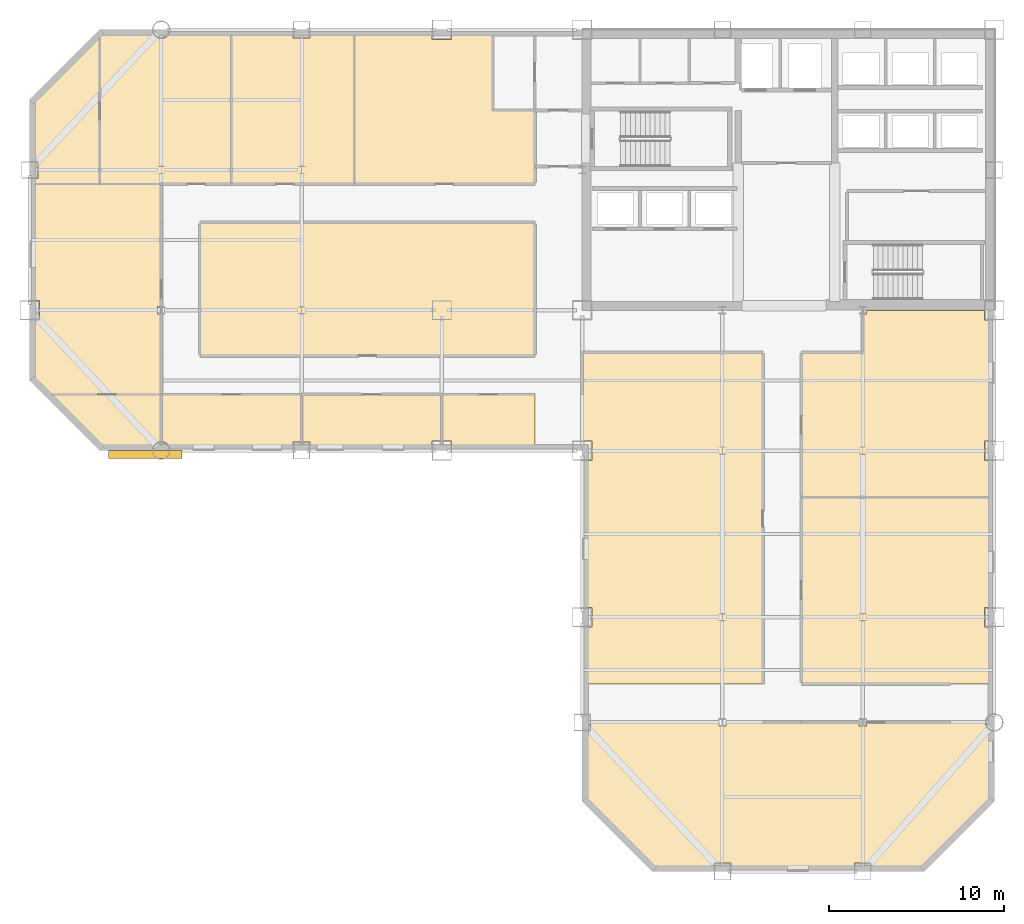
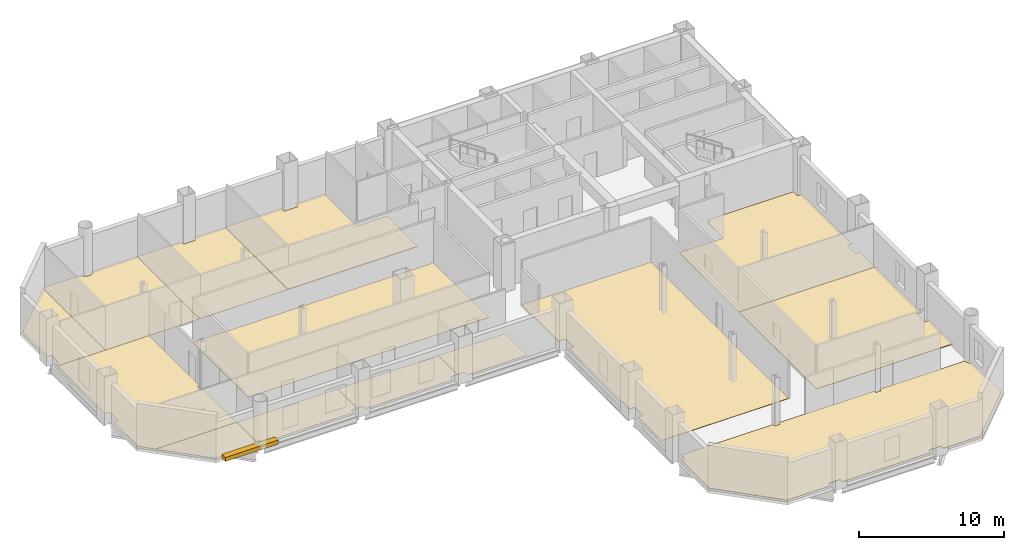
# One storey, part 9 of 10: 14 coverings, 1 shading device.
"""IFC4 building model written with IfcOpenShell, lengths in metres."""

import ifcopenshell
import ifcopenshell.guid

model = None  # the IFC model being written
_history = None  # IfcOwnerHistory: only IFC2X3 demands one
_inside = {}  # id of a spatial element -> (the spatial element, [elements in it])
_under = {}  # id of a project, library or spatial element -> (it, [spatial elements below it])
_declared = {}  # id of a project -> (the project, [libraries it declares])
_typed = {}  # id of a type object -> (the type object, [elements of that type])
_made_of = {}  # id of a material, layer set ... -> (it, [elements and type objects made of it])


def new_model(schema):
    """Start an empty IFC model of exactly this schema.

    Asked for "IFC4X3", IfcOpenShell would pick the latest addendum, in which some entities
    have other attributes; the version numbers below select the first issue.
    IFC2X3 requires an IfcOwnerHistory on every rooted entity: one is made here for all.
    """
    global model, _history
    if schema == "IFC4X3":
        model = ifcopenshell.file(schema_version=(4, 3, 0, 0))
    else:
        model = ifcopenshell.file(schema=schema)
    _inside.clear()
    _under.clear()
    _declared.clear()
    _typed.clear()
    _made_of.clear()
    _history = None
    if model.schema == "IFC2X3":
        org = make("IfcOrganization", Name="unknown")
        user = make(
            "IfcPersonAndOrganization",
            ThePerson=make("IfcPerson", FamilyName="unknown"),
            TheOrganization=org,
        )
        app = make(
            "IfcApplication",
            ApplicationDeveloper=org,
            Version="unknown",
            ApplicationFullName="unknown",
            ApplicationIdentifier="unknown",
        )
        _history = make(
            "IfcOwnerHistory",
            OwningUser=user,
            OwningApplication=app,
            ChangeAction="ADDED",
            CreationDate=0,
        )
    return model


def make(cls, **values):
    """One entity of the class cls with the attributes given. An attribute that is None is left unset."""
    return model.create_entity(
        cls, **{name: value for name, value in values.items() if value is not None}
    )


def rooted(cls, **values):
    """An entity with a GlobalId (a new one), such as an element, a storey or a relation."""
    return make(cls, GlobalId=ifcopenshell.guid.new(), OwnerHistory=_history, **values)


def si_unit(unit_type, name, prefix=None):
    """IfcSIUnit, for example si_unit("LENGTHUNIT", "METRE", prefix="MILLI")."""
    return make("IfcSIUnit", UnitType=unit_type, Prefix=prefix, Name=name)


def assignment(units):
    """IfcUnitAssignment: the units of a project."""
    return None if units is None else make("IfcUnitAssignment", Units=units)


def point(xyz):
    """IfcCartesianPoint."""
    return None if xyz is None else make("IfcCartesianPoint", Coordinates=xyz)


def direction(xyz):
    """IfcDirection."""
    return None if xyz is None else make("IfcDirection", DirectionRatios=xyz)


def frame(location, z_axis=None, x_axis=None):
    """IfcAxis2Placement3D, a coordinate frame: its origin and axes. An axis left out is left unset."""
    return make(
        "IfcAxis2Placement3D",
        Location=point(location),
        Axis=direction(z_axis),
        RefDirection=direction(x_axis),
    )


def frame_2d(location, x_axis=None):
    """IfcAxis2Placement2D, a coordinate frame in the plane: its origin and x axis."""
    return make(
        "IfcAxis2Placement2D", Location=point(location), RefDirection=direction(x_axis)
    )


def origin():
    """The frame at (0, 0, 0) with its axes left unset."""
    return frame((0.0, 0.0, 0.0))


def origin_2d():
    """The frame at (0, 0) in the plane with its x axis left unset."""
    return frame_2d((0.0, 0.0))


def place(relative_to, where):
    """IfcLocalPlacement: puts the frame where relative to a parent placement (None: the world)."""
    return make(
        "IfcLocalPlacement", PlacementRelTo=relative_to, RelativePlacement=where
    )


def context(
    kind, dimensions, precision=None, world=None, true_north=None, identifier=None
):
    """IfcGeometricRepresentationContext, for example the 3D "Model" context."""
    return make(
        "IfcGeometricRepresentationContext",
        ContextIdentifier=identifier,
        ContextType=kind,
        CoordinateSpaceDimension=dimensions,
        Precision=precision,
        WorldCoordinateSystem=world,
        TrueNorth=true_north,
    )


def subcontext(parent, identifier, kind, view, scale=None):
    """IfcGeometricRepresentationSubContext, for example "Body" below "Model"."""
    return make(
        "IfcGeometricRepresentationSubContext",
        ContextIdentifier=identifier,
        ContextType=kind,
        ParentContext=parent,
        TargetScale=scale,
        TargetView=view,
    )


def project(units=None, contexts=None):
    """IfcProject with its units and contexts."""
    return rooted(
        "IfcProject",
        Name="project",
        RepresentationContexts=contexts,
        UnitsInContext=assignment(units),
    )


def spatial(cls, under=None, at=None, **own):
    """A site, building, storey or space (cls), placed at a placement, below another one or the project."""
    s = rooted(cls, ObjectPlacement=at, **own)
    if under is not None:
        _under.setdefault(under.id(), (under, []))[1].append(s)
    return s


def polyline(points):
    """IfcPolyline through the points."""
    return make("IfcPolyline", Points=[point(p) for p in points])


def profile(cls, at=None, kind="AREA", **sizes):
    """A parametric profile (cls). Its sizes go by their IFC names, for example OverallWidth=200.0."""
    return make(cls, ProfileType=kind, Position=at, **sizes)


def rectangle(**sizes):
    """IfcRectangleProfileDef."""
    return profile("IfcRectangleProfileDef", **sizes)


def outline(outer, holes=None, kind="AREA"):
    """IfcArbitraryClosedProfileDef: a profile drawn as a closed curve; with holes, ...WithVoids."""
    if holes is None:
        return make("IfcArbitraryClosedProfileDef", ProfileType=kind, OuterCurve=outer)
    return make(
        "IfcArbitraryProfileDefWithVoids",
        ProfileType=kind,
        OuterCurve=outer,
        InnerCurves=holes,
    )


def extrude(swept, where, along, depth):
    """IfcExtrudedAreaSolid: the profile swept, set in the frame where, extruded along a direction by depth."""
    return make(
        "IfcExtrudedAreaSolid",
        SweptArea=swept,
        Position=where,
        ExtrudedDirection=direction(along),
        Depth=depth,
    )


def shape(context_of_items, identifier, shape_type, items):
    """IfcShapeRepresentation: the items that make up one representation, for example the "Body"."""
    return make(
        "IfcShapeRepresentation",
        ContextOfItems=context_of_items,
        RepresentationIdentifier=identifier,
        RepresentationType=shape_type,
        Items=items,
    )


def material(Name=None, Category=None):
    """IfcMaterial."""
    return make("IfcMaterial", Name=Name, Category=Category)


def layer(
    of_material, thickness, ventilated=None, Name=None, Category=None, Priority=None
):
    """IfcMaterialLayer: one layer of a wall or slab, of a material (None: an air gap)."""
    return make(
        "IfcMaterialLayer",
        Material=of_material,
        LayerThickness=thickness,
        IsVentilated=ventilated,
        Name=Name,
        Category=Category,
        Priority=Priority,
    )


def layer_set(layers, Name=None):
    """IfcMaterialLayerSet."""
    return make("IfcMaterialLayerSet", MaterialLayers=layers, LayerSetName=Name)


def made_of(thing, what):
    """Note that an element or type object is made of a material, layer set ...; save() writes the relation."""
    if what is not None:
        _made_of.setdefault(what.id(), (what, []))[1].append(thing)
    return thing


def type_object(cls, material=None, **own):
    """A type object (cls), such as IfcWallType, which elements share."""
    return made_of(rooted(cls, **own), material)


def element(
    cls,
    number,
    at=None,
    inside=None,
    cuts=None,
    type_object=None,
    material=None,
    context=None,
    identifier="Body",
    shape_type=None,
    held_by="IfcProductDefinitionShape",
    body=None,
    shapes=None,
    **own,
):
    """One element of the class cls, such as IfcWall. Its Tag is "e" and its number.

    at: its placement. inside: the storey or other place that contains it. cuts: it is an
    opening in that element (IfcRelVoidsElement). A single representation is given by context,
    identifier, shape_type and body (its items); several are given by shapes. held_by: the class
    of the entity that holds the representations. save() writes the other relations.
    """
    e = rooted(cls, Tag="e%d" % number, ObjectPlacement=at, **own)
    if body is not None:
        shapes = [shape(context, identifier, shape_type, body)]
    if shapes is not None:
        e.Representation = make(held_by, Representations=shapes)
    if inside is not None:
        _inside.setdefault(inside.id(), (inside, []))[1].append(e)
    if cuts is not None:
        rooted(
            "IfcRelVoidsElement", RelatingBuildingElement=cuts, RelatedOpeningElement=e
        )
    if type_object is not None:
        _typed.setdefault(type_object.id(), (type_object, []))[1].append(e)
    return made_of(e, material)


def aggregate(whole, parts):
    """IfcRelAggregates: a whole, such as a stair, and the parts it consists of."""
    return rooted("IfcRelAggregates", RelatingObject=whole, RelatedObjects=parts)


def save(model, path):
    """Write the relations noted so far, then the file.

    IfcRelAggregates (storeys below a building ...), IfcRelContainedInSpatialStructure (elements
    in a storey), IfcRelDefinesByType, IfcRelAssociatesMaterial and IfcRelDeclares: one each for
    every whole, place, type object, material and project.
    """
    for whole, parts in _under.values():
        aggregate(whole, parts)
    for where, things in _inside.values():
        rooted(
            "IfcRelContainedInSpatialStructure",
            RelatedElements=things,
            RelatingStructure=where,
        )
    for kind, things in _typed.values():
        rooted("IfcRelDefinesByType", RelatedObjects=things, RelatingType=kind)
    for what, things in _made_of.values():
        rooted("IfcRelAssociatesMaterial", RelatedObjects=things, RelatingMaterial=what)
    for by, libraries in _declared.values():
        rooted("IfcRelDeclares", RelatingContext=by, RelatedDefinitions=libraries)
    model.write(path)


model = new_model("IFC4")

# Units and contexts
model_context = context("Model", 3, precision=1e-05, world=origin(), true_north=direction((0.0, 1.0)))
body_context = subcontext(model_context, "Body", "Model", "MODEL_VIEW")
ifc_project = project(units=[si_unit("LENGTHUNIT", "METRE"), si_unit("AREAUNIT", "SQUARE_METRE"), si_unit("VOLUMEUNIT", "CUBIC_METRE"), si_unit("PLANEANGLEUNIT", "RADIAN"), si_unit("MASSUNIT", "GRAM", prefix="KILO")], contexts=[model_context])

# Site, building, storey
site_placement = place(None, origin())
site = spatial("IfcSite", under=ifc_project, at=site_placement, CompositionType="ELEMENT")
building_placement = place(site_placement, origin())
building = spatial("IfcBuilding", under=site, at=building_placement, Name="Qianrong Seaharbour Tower", CompositionType="ELEMENT")
storey_placement = place(building_placement, frame((0.0, 0.0, 171.0)))
storey = spatial("IfcBuildingStorey", under=building, at=storey_placement, Name="L41", CompositionType="ELEMENT", Elevation=171.0)

# Coverings
ifc_material_1 = material(Name="Acoustic modular carpet tile flooring")
ifc_layer_1 = layer(ifc_material_1, 0.02001953125)
ifc_layer_set_1 = layer_set([ifc_layer_1], Name="Acoustic modular carpet tile flooring")
covering_type_1 = type_object("IfcCoveringType", Name="COV-FLOOR-CARPET-20", PredefinedType="FLOORING", material=ifc_layer_set_1)
covering_1_placement = place(storey_placement, origin())
element("IfcCovering", 1, at=covering_1_placement, inside=storey, type_object=covering_type_1, Name="L41 Wellness Room 1 Finish Flooring", PredefinedType="FLOORING", context=body_context, shape_type="SweptSolid", body=[
    extrude(outline(polyline([(56.5, 33.60009765625), (56.5, 35.7900390625), (56.7099609375, 35.7900390625), (56.7099609375, 36.0), (63.43994140625, 36.0), (63.43994140625, 35.43994140625), (63.824951171875, 35.43994140625), (63.824951171875, 28.56005859375), (63.43994140625, 28.56005859375), (63.43994140625, 27.43994140625), (63.824951171875, 27.43994140625), (63.824951171875, 25.35009765625), (53.0, 25.35009765625), (53.0, 33.60009765625), (56.5, 33.60009765625)])), origin(), (0.0, 0.0, 1.0), 0.02001953125),
])
covering_2_placement = place(storey_placement, origin())
element("IfcCovering", 2, at=covering_2_placement, inside=storey, type_object=covering_type_1, Name="L41 Occupational Health Clinic 1 Finish Flooring", PredefinedType="FLOORING", context=body_context, shape_type="SweptSolid", body=[
    extrude(outline(polyline([(9.175048828125, 43.514892578125), (9.485107421875, 43.514892578125), (9.485107421875, 44.485107421875), (9.175048828125, 44.485107421875), (9.175048828125, 47.927490234375), (13.0, 51.75244140625), (13.0, 43.199951171875), (9.175048828125, 43.199951171875), (9.175048828125, 43.514892578125)])), origin(), (0.0, 0.0, 1.0), 0.02001953125),
])
covering_3_placement = place(storey_placement, origin())
element("IfcCovering", 3, at=covering_3_placement, inside=storey, type_object=covering_type_1, Name="L41 Physiotherapy Room 2 Finish Flooring", PredefinedType="FLOORING", context=body_context, shape_type="SweptSolid", body=[
    extrude(outline(polyline([(13.0, 51.75244140625), (13.072509765625, 51.824951171875), (16.022705078125, 51.824951171875), (16.02880859375, 51.8046875), (16.075927734375, 51.716796875), (16.139404296875, 51.639404296875), (16.216796875, 51.575927734375), (16.3046875, 51.52880859375), (16.400390625, 51.499755859375), (16.5, 51.489990234375), (16.599609375, 51.499755859375), (16.6953125, 51.52880859375), (16.783203125, 51.575927734375), (16.860595703125, 51.639404296875), (16.924072265625, 51.716796875), (16.97119140625, 51.8046875), (16.977294921875, 51.824951171875), (20.5, 51.824951171875), (20.5, 43.199951171875), (13.0, 43.199951171875), (13.0, 51.75244140625)])), origin(), (0.0, 0.0, 1.0), 0.02001953125),
])
covering_4_placement = place(storey_placement, origin())
element("IfcCovering", 4, at=covering_4_placement, inside=storey, type_object=covering_type_1, Name="L41 First Aid Nursing Room 3 Finish Flooring", PredefinedType="FLOORING", context=body_context, shape_type="SweptSolid", body=[
    extrude(outline(polyline([(20.5, 51.824951171875), (24.014892578125, 51.824951171875), (24.014892578125, 51.514892578125), (24.985107421875, 51.514892578125), (24.985107421875, 51.824951171875), (27.5, 51.824951171875), (27.5, 43.199951171875), (20.5, 43.199951171875), (20.5, 51.824951171875)])), origin(), (0.0, 0.0, 1.0), 0.02001953125),
])
covering_5_placement = place(storey_placement, origin())
element("IfcCovering", 5, at=covering_5_placement, inside=storey, type_object=covering_type_1, Name="L41 Rehabilitation Fitness Hall Finish Flooring", PredefinedType="FLOORING", context=body_context, shape_type="SweptSolid", body=[
    extrude(outline(polyline([(37.800048828125, 41.0), (37.800048828125, 33.39990234375), (18.699951171875, 33.39990234375), (18.699951171875, 41.0), (37.800048828125, 41.0)])), origin(), (0.0, 0.0, 1.0), 0.02001953125),
])
covering_6_placement = place(storey_placement, origin())
element("IfcCovering", 6, at=covering_6_placement, inside=storey, type_object=covering_type_1, Name="L41 Wellness Room 1 Finish Flooring", PredefinedType="FLOORING", context=body_context, shape_type="SweptSolid", body=[
    extrude(outline(polyline([(13.072509765625, 28.175048828125), (10.047607421875, 31.199951171875), (16.5, 31.199951171875), (16.5, 28.510009765625), (16.400390625, 28.500244140625), (16.3046875, 28.47119140625), (16.216796875, 28.424072265625), (16.139404296875, 28.360595703125), (16.075927734375, 28.283203125), (16.02880859375, 28.1953125), (16.022705078125, 28.175048828125), (13.072509765625, 28.175048828125)])), origin(), (0.0, 0.0, 1.0), 0.02001953125),
])
covering_7_placement = place(storey_placement, origin())
element("IfcCovering", 7, at=covering_7_placement, inside=storey, type_object=covering_type_1, Name="L41 Wet Pantry 2 Finish Flooring", PredefinedType="FLOORING", context=body_context, shape_type="SweptSolid", body=[
    extrude(outline(polyline([(24.5, 28.485107421875), (24.014892578125, 28.485107421875), (24.014892578125, 28.175048828125), (16.977294921875, 28.175048828125), (16.97119140625, 28.1953125), (16.924072265625, 28.283203125), (16.860595703125, 28.360595703125), (16.783203125, 28.424072265625), (16.6953125, 28.47119140625), (16.599609375, 28.500244140625), (16.5, 28.510009765625), (16.5, 31.199951171875), (24.5, 31.199951171875), (24.5, 28.485107421875)])), origin(), (0.0, 0.0, 1.0), 0.02001953125),
])
covering_8_placement = place(storey_placement, origin())
element("IfcCovering", 8, at=covering_8_placement, inside=storey, type_object=covering_type_1, Name="L41 Wellness Room 3 Finish Flooring", PredefinedType="FLOORING", context=body_context, shape_type="SweptSolid", body=[
    extrude(outline(polyline([(32.5, 28.56005859375), (31.93994140625, 28.56005859375), (31.93994140625, 28.175048828125), (24.985107421875, 28.175048828125), (24.985107421875, 28.485107421875), (24.5, 28.485107421875), (24.5, 31.199951171875), (32.5, 31.199951171875), (32.5, 28.56005859375)])), origin(), (0.0, 0.0, 1.0), 0.02001953125),
])
covering_9_placement = place(storey_placement, origin())
element("IfcCovering", 9, at=covering_9_placement, inside=storey, type_object=covering_type_1, Name="L41 Wet Pantry 4 Finish Flooring", PredefinedType="FLOORING", context=body_context, shape_type="SweptSolid", body=[
    extrude(outline(polyline([(37.800048828125, 28.175048828125), (33.06005859375, 28.175048828125), (33.06005859375, 28.56005859375), (32.5, 28.56005859375), (32.5, 31.199951171875), (37.800048828125, 31.199951171875), (37.800048828125, 28.175048828125)])), origin(), (0.0, 0.0, 1.0), 0.02001953125),
])
covering_10_placement = place(storey_placement, origin())
element("IfcCovering", 10, at=covering_10_placement, inside=storey, type_object=covering_type_1, Name="L41 Ergonomics Assessment Hall Finish Flooring", PredefinedType="FLOORING", context=body_context, shape_type="SweptSolid", body=[
    extrude(outline(polyline([(10.047607421875, 31.199951171875), (9.175048828125, 32.072509765625), (9.175048828125, 35.43994140625), (9.56005859375, 35.43994140625), (9.56005859375, 36.56005859375), (9.175048828125, 36.56005859375), (9.175048828125, 43.199951171875), (16.5, 43.199951171875), (16.5, 36.2099609375), (16.2900390625, 36.2099609375), (16.2900390625, 35.7900390625), (16.5, 35.7900390625), (16.5, 31.199951171875), (10.047607421875, 31.199951171875)])), origin(), (0.0, 0.0, 1.0), 0.02001953125),
])
covering_11_placement = place(storey_placement, origin())
element("IfcCovering", 11, at=covering_11_placement, inside=storey, type_object=covering_type_1, Name="L41 Clinical Dispensary Store Finish Flooring", PredefinedType="FLOORING", context=body_context, shape_type="SweptSolid", body=[
    extrude(outline(polyline([(50.800048828125, 14.699951171875), (40.675048828125, 14.699951171875), (40.675048828125, 17.93994140625), (41.06005859375, 17.93994140625), (41.06005859375, 19.06005859375), (40.675048828125, 19.06005859375), (40.675048828125, 27.43994140625), (41.06005859375, 27.43994140625), (41.06005859375, 28.56005859375), (40.5, 28.56005859375), (40.5, 33.60009765625), (50.800048828125, 33.60009765625), (50.800048828125, 14.699951171875)])), origin(), (0.0, 0.0, 1.0), 0.02001953125),
])
ifc_material_2 = material(Name="Calcium-sulphate raised access floor tile")
ifc_layer_2 = layer(ifc_material_2, 0.044921875)
ifc_layer_set_2 = layer_set([ifc_layer_2], Name="Calcium-sulphate raised access floor tile")
covering_type_2 = type_object("IfcCoveringType", Name="COV-FLOOR-RAISED-45", PredefinedType="FLOORING", material=ifc_layer_set_2)
covering_12_placement = place(storey_placement, origin())
element("IfcCovering", 12, at=covering_12_placement, inside=storey, type_object=covering_type_2, Name="L41 South Tip Open-Plan Office Finish Flooring", PredefinedType="FLOORING", context=body_context, shape_type="SweptSolid", body=[
    extrude(outline(polyline([(59.927490234375, 4.175048828125), (56.985107421875, 4.175048828125), (56.985107421875, 4.485107421875), (56.014892578125, 4.485107421875), (56.014892578125, 4.175048828125), (48.985107421875, 4.175048828125), (48.985107421875, 4.485107421875), (48.014892578125, 4.485107421875), (48.014892578125, 4.175048828125), (44.572509765625, 4.175048828125), (40.675048828125, 8.072509765625), (40.675048828125, 12.014892578125), (40.985107421875, 12.014892578125), (40.985107421875, 12.5), (48.2900390625, 12.5), (48.2900390625, 12.2900390625), (48.7099609375, 12.2900390625), (48.7099609375, 12.5), (56.2900390625, 12.5), (56.2900390625, 12.2900390625), (56.7099609375, 12.2900390625), (56.7099609375, 12.5), (63.489990234375, 12.5), (63.499755859375, 12.400390625), (63.52880859375, 12.3046875), (63.575927734375, 12.216796875), (63.639404296875, 12.139404296875), (63.716796875, 12.075927734375), (63.8046875, 12.02880859375), (63.824951171875, 12.022705078125), (63.824951171875, 8.072509765625), (59.927490234375, 4.175048828125)])), origin(), (0.0, 0.0, 1.0), 0.044921875),
])
covering_13_placement = place(storey_placement, origin())
element("IfcCovering", 13, at=covering_13_placement, inside=storey, type_object=covering_type_2, Name="L41 Operations Open-Plan Office Finish Flooring", PredefinedType="FLOORING", context=body_context, shape_type="SweptSolid", body=[
    extrude(outline(polyline([(63.824951171875, 25.35009765625), (63.824951171875, 19.06005859375), (63.43994140625, 19.06005859375), (63.43994140625, 17.93994140625), (63.824951171875, 17.93994140625), (63.824951171875, 14.699951171875), (53.0, 14.699951171875), (53.0, 25.35009765625), (63.824951171875, 25.35009765625)])), origin(), (0.0, 0.0, 1.0), 0.044921875),
])
covering_14_placement = place(storey_placement, origin())
element("IfcCovering", 14, at=covering_14_placement, inside=storey, type_object=covering_type_2, Name="L41 Case Coordinator Office 4 Finish Flooring", PredefinedType="FLOORING", context=body_context, shape_type="SweptSolid", body=[
    extrude(outline(polyline([(27.5, 51.824951171875), (31.93994140625, 51.824951171875), (31.93994140625, 51.43994140625), (33.06005859375, 51.43994140625), (33.06005859375, 51.824951171875), (35.39990234375, 51.824951171875), (35.39990234375, 47.39990234375), (37.800048828125, 47.39990234375), (37.800048828125, 43.199951171875), (27.5, 43.199951171875), (27.5, 51.824951171875)])), origin(), (0.0, 0.0, 1.0), 0.044921875),
])

# Shading device
ifc_material_3 = material(Name="White architectural precast concrete C45/55", Category="concrete")
shading_device_type = type_object("IfcShadingDeviceType", Name="SHD-SUNSHADE-WHITE-320", PredefinedType="AWNING", material=ifc_material_3)
shading_device_placement = place(storey_placement, frame((15.60009765625, 27.780029296875, -0.02001953125), z_axis=(0.0, 0.0, 1.0), x_axis=(1.0, 0.0, 0.0)))
element("IfcShadingDevice", 15, at=shading_device_placement, inside=storey, type_object=shading_device_type, Name="L41 Climbing White Precast Ribbon Canopy Fin", PredefinedType="AWNING", context=body_context, shape_type="SweptSolid", body=[
    extrude(rectangle(XDim=4.199951171875, YDim=0.4599609375, at=origin_2d()), origin(), (0.0, 0.0, 1.0), 0.340087890625),
])

save(model, "model.ifc")
